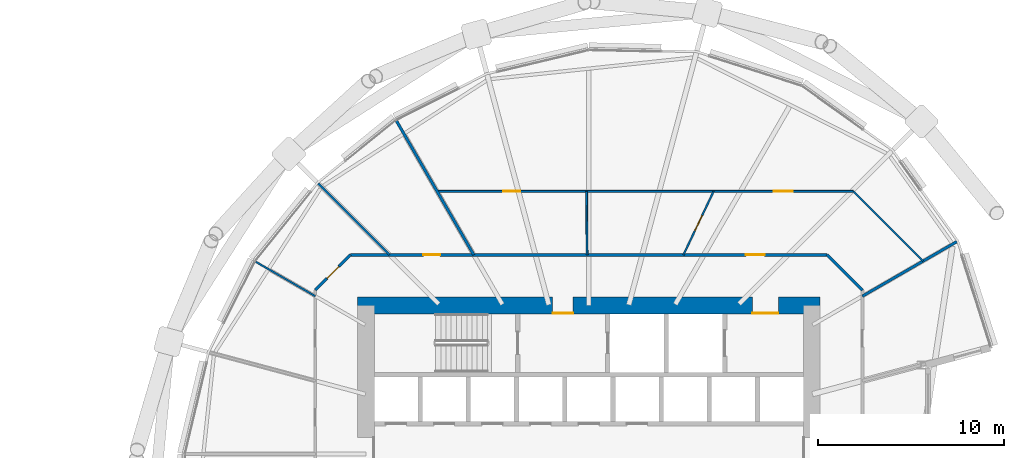
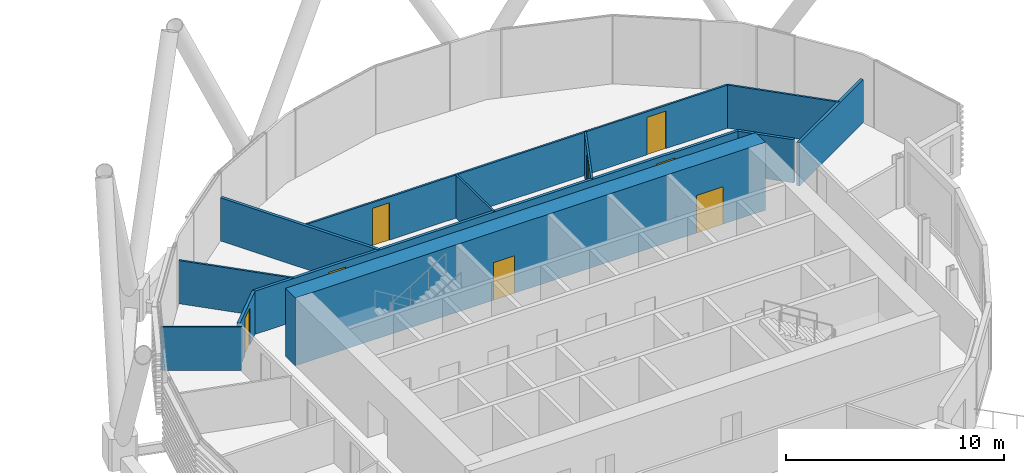
# One storey, part 30 of 40: 12 walls, 8 doors, 8 openings.
"""IFC4 building model written with IfcOpenShell, lengths in metres."""

from ifc_helpers import new_model, si_unit, direction, frame, frame_2d, origin, place, context, subcontext, project, spatial, rectangle, extrude, material, layer, layer_set, type_object, element, fill, save


model = new_model("IFC4")

# Units and contexts
model_context = context("Model", 3, precision=1e-05, world=origin(), true_north=direction((0.0, 1.0)))
body_context = subcontext(model_context, "Body", "Model", "MODEL_VIEW")
ifc_project = project(units=[si_unit("LENGTHUNIT", "METRE"), si_unit("AREAUNIT", "SQUARE_METRE"), si_unit("VOLUMEUNIT", "CUBIC_METRE"), si_unit("PLANEANGLEUNIT", "RADIAN"), si_unit("MASSUNIT", "GRAM", prefix="KILO")], contexts=[model_context])

# Site, building, storey
site_placement = place(None, origin())
site = spatial("IfcSite", under=ifc_project, at=site_placement, CompositionType="ELEMENT")
building_placement = place(site_placement, origin())
building = spatial("IfcBuilding", under=site, at=building_placement, Name="Rimbun Link Towers", CompositionType="ELEMENT")
storey_placement = place(building_placement, frame((0.0, 0.0, 52.800048828125)))
storey = spatial("IfcBuildingStorey", under=building, at=storey_placement, Name="L12", CompositionType="ELEMENT", Elevation=52.800048828125)

# Wall, openings, doors
ifc_material_1 = material(Name="Concrete C60/75", Category="concrete")
ifc_layer_1 = layer(ifc_material_1, 0.89990234375)
ifc_layer_set_1 = layer_set([ifc_layer_1], Name="Core shear wall 900")
wall_type_1 = type_object("IfcWallType", Name="Core shear wall 900", PredefinedType="SHEAR", material=ifc_layer_set_1)
wall_1_placement = place(storey_placement, frame((19.300048828125, 8.0, 0.0), z_axis=(0.0, 0.0, 1.0), x_axis=(1.0, 0.0, 0.0)))
wall_1 = element("IfcWall", 1, at=wall_1_placement, inside=storey, type_object=wall_type_1, Name="L12 T2 core wall N", PredefinedType="SHEAR", context=body_context, shape_type="SweptSolid", body=[
    extrude(rectangle(XDim=24.89990234375, YDim=0.89990234375, at=frame_2d((12.449951171875, 0.0))), origin(), (0.0, 0.0, 1.0), 3.800048828125),
])
opening_1_placement = place(wall_1_placement, frame((10.5, 0.0, 0.0)))
opening_1 = element("IfcOpeningElement", 2, at=opening_1_placement, cuts=wall_1, Name="Opening C2DCF01N", PredefinedType="OPENING", context=body_context, shape_type="SweptSolid", body=[
    extrude(rectangle(XDim=1.10009765625, YDim=2.10009765625, at=frame_2d((0.550048828125, 1.050048828125))), frame((0.0, 0.4599609375, 0.0), z_axis=(0.0, -1.0, 0.0), x_axis=(1.0, 0.0, 0.0)), (0.0, 0.0, 1.0), 0.919921875),
])
opening_2_placement = place(wall_1_placement, frame((21.25, 0.0, 0.0)))
opening_2 = element("IfcOpeningElement", 3, at=opening_2_placement, cuts=wall_1, Name="Opening C2DSL02N", PredefinedType="OPENING", context=body_context, shape_type="SweptSolid", body=[
    extrude(rectangle(XDim=1.39990234375, YDim=2.10009765625, at=frame_2d((0.699951171875, 1.050048828125))), frame((0.0, 0.4599609375, 0.0), z_axis=(0.0, -1.0, 0.0), x_axis=(1.0, 0.0, 0.0)), (0.0, 0.0, 1.0), 0.919921875),
])
ifc_material_2 = material(Name="Steel fire door set", Category="steel")
door_type_1 = type_object("IfcDoorType", Name="Core fire door single", OperationType="SINGLE_SWING_LEFT", PredefinedType="DOOR", material=ifc_material_2)
door_1_placement = place(opening_1_placement, origin())
door_1 = element("IfcDoor", 4, at=door_1_placement, inside=storey, type_object=door_type_1, Name="L12 T2 firefighting lobby n door", OperationType="SINGLE_SWING_LEFT", OverallHeight=2.10009765625, OverallWidth=1.10009765625, PredefinedType="DOOR", context=body_context, shape_type="SweptSolid", body=[
    extrude(rectangle(XDim=1.10009765625, YDim=2.10009765625, at=frame_2d((0.550048828125, 1.050048828125))), frame((0.0, -0.39990234375, 0.0), z_axis=(0.0, -1.0, 0.0), x_axis=(1.0, 0.0, 0.0)), (0.0, 0.0, 1.0), 0.050048828125),
])
fill(opening_1, door_1)
ifc_material_3 = material(Name="Steel fire door set", Category="steel")
door_type_2 = type_object("IfcDoorType", Name="Service lobby door double", OperationType="DOUBLE_DOOR_SINGLE_SWING", PredefinedType="DOOR", material=ifc_material_3)
door_2_placement = place(opening_2_placement, origin())
door_2 = element("IfcDoor", 5, at=door_2_placement, inside=storey, type_object=door_type_2, Name="L12 T2 service lobby door", OperationType="DOUBLE_DOOR_SINGLE_SWING", OverallHeight=2.10009765625, OverallWidth=1.39990234375, PredefinedType="DOOR", context=body_context, shape_type="SweptSolid", body=[
    extrude(rectangle(XDim=1.39990234375, YDim=2.10009765625, at=frame_2d((0.699951171875, 1.050048828125))), frame((0.0, -0.39990234375, 0.0), z_axis=(0.0, -1.0, 0.0), x_axis=(1.0, 0.0, 0.0)), (0.0, 0.0, 1.0), 0.050048828125),
])
fill(opening_2, door_2)

# Wall
ifc_material_4 = material(Name="Plasterboard on steel stud, mineral wool", Category="steel")
ifc_layer_2 = layer(ifc_material_4, 0.14990234375)
ifc_layer_set_2 = layer_set([ifc_layer_2], Name="Corridor wall EI 30 150 mm")
wall_type_2 = type_object("IfcWallType", Name="Corridor wall EI 30 150 mm", PredefinedType="PARTITIONING", material=ifc_layer_set_2)
wall_2_placement = place(storey_placement, frame((46.47509765625, 8.82666015625, 0.0), z_axis=(0.0, 0.0, 1.0), x_axis=(-0.707106781187, 0.707106781187, 0.0)))
element("IfcWall", 6, at=wall_2_placement, inside=storey, type_object=wall_type_2, Name="Corridor wall EI 30 150 mm", PredefinedType="PARTITIONING", context=body_context, shape_type="SweptSolid", body=[
    extrude(rectangle(XDim=2.684814453125, YDim=0.14990234375, at=frame_2d((1.34228515625, 0.0))), origin(), (0.0, 0.0, 1.0), 2.419921875),
])

# Wall, opening, door
wall_3_placement = place(storey_placement, frame((17.02490234375, 8.82666015625, 0.0), z_axis=(0.0, 0.0, 1.0), x_axis=(0.707106781187, 0.707106781187, 0.0)))
wall_3 = element("IfcWall", 7, at=wall_3_placement, inside=storey, type_object=wall_type_2, Name="Corridor wall EI 30 150 mm", PredefinedType="PARTITIONING", context=body_context, shape_type="SweptSolid", body=[
    extrude(rectangle(XDim=2.684814453125, YDim=0.14990234375, at=frame_2d((1.34228515625, 0.0))), origin(), (0.0, 0.0, 1.0), 2.419921875),
])
opening_3_placement = place(wall_3_placement, frame((0.892333984375, 0.0, 0.0)))
opening_3 = element("IfcOpeningElement", 8, at=opening_3_placement, cuts=wall_3, Name="Opening D02", PredefinedType="OPENING", context=body_context, shape_type="SweptSolid", body=[
    extrude(rectangle(XDim=0.89990234375, YDim=2.10009765625, at=frame_2d((0.449951171875, 1.050048828125))), frame((0.0, 0.0849609375, 0.0), z_axis=(0.0, -1.0, 0.0), x_axis=(1.0, 0.0, 0.0)), (0.0, 0.0, 1.0), 0.169921875),
])
ifc_material_5 = material(Name="Fire-resisting timber door leaf", Category="wood")
door_type_3 = type_object("IfcDoorType", Name="Fire door FD30S 900", OperationType="NOTDEFINED", PredefinedType="DOOR", material=ifc_material_5)
door_3_placement = place(opening_3_placement, origin())
door_3 = element("IfcDoor", 9, at=door_3_placement, inside=storey, type_object=door_type_3, Name="Fire door FD30S 900 to Cellular office", OperationType="SINGLE_SWING_RIGHT", OverallHeight=2.10009765625, OverallWidth=0.89990234375, PredefinedType="DOOR", context=body_context, shape_type="SweptSolid", body=[
    extrude(rectangle(XDim=0.89990234375, YDim=2.10009765625, at=frame_2d((0.449951171875, 1.050048828125))), frame((0.0, 0.02490234375, 0.0), z_axis=(0.0, -1.0, 0.0), x_axis=(1.0, 0.0, 0.0)), (0.0, 0.0, 1.0), 0.050048828125),
])
fill(opening_3, door_3)

# Wall, openings, doors
wall_4_placement = place(storey_placement, frame((18.92333984375, 10.72509765625, 0.0), z_axis=(0.0, 0.0, 1.0), x_axis=(1.0, 0.0, 0.0)))
wall_4 = element("IfcWall", 10, at=wall_4_placement, inside=storey, type_object=wall_type_2, Name="Corridor wall EI 30 150 mm", PredefinedType="PARTITIONING", context=body_context, shape_type="SweptSolid", body=[
    extrude(rectangle(XDim=25.6533203125, YDim=0.14990234375, at=frame_2d((12.82666015625, 0.0))), origin(), (0.0, 0.0, 1.0), 2.419921875),
])
opening_4_placement = place(wall_4_placement, frame((21.28662109375, 0.0, 0.0)))
opening_4 = element("IfcOpeningElement", 11, at=opening_4_placement, cuts=wall_4, Name="Opening D01", PredefinedType="OPENING", context=body_context, shape_type="SweptSolid", body=[
    extrude(rectangle(XDim=1.0, YDim=2.10009765625, at=frame_2d((0.5, 1.050048828125))), frame((0.0, 0.0849609375, 0.0), z_axis=(0.0, -1.0, 0.0), x_axis=(1.0, 0.0, 0.0)), (0.0, 0.0, 1.0), 0.169921875),
])
opening_5_placement = place(wall_4_placement, frame((3.918212890625, 0.0, 0.0)))
opening_5 = element("IfcOpeningElement", 12, at=opening_5_placement, cuts=wall_4, Name="Opening D02", PredefinedType="OPENING", context=body_context, shape_type="SweptSolid", body=[
    extrude(rectangle(XDim=0.89990234375, YDim=2.10009765625, at=frame_2d((0.449951171875, 1.050048828125))), frame((0.0, 0.0849609375, 0.0), z_axis=(0.0, -1.0, 0.0), x_axis=(1.0, 0.0, 0.0)), (0.0, 0.0, 1.0), 0.169921875),
])
ifc_material_6 = material(Name="Fire-resisting timber door leaf", Category="wood")
door_type_4 = type_object("IfcDoorType", Name="Fire door FD30S 1000", OperationType="NOTDEFINED", PredefinedType="DOOR", material=ifc_material_6)
door_4_placement = place(opening_4_placement, origin())
door_4 = element("IfcDoor", 13, at=door_4_placement, inside=storey, type_object=door_type_4, Name="Fire door FD30S 1000 to Reception", OperationType="SINGLE_SWING_RIGHT", OverallHeight=2.10009765625, OverallWidth=1.0, PredefinedType="DOOR", context=body_context, shape_type="SweptSolid", body=[
    extrude(rectangle(XDim=1.0, YDim=2.10009765625, at=frame_2d((0.5, 1.050048828125))), frame((0.0, 0.02490234375, 0.0), z_axis=(0.0, -1.0, 0.0), x_axis=(1.0, 0.0, 0.0)), (0.0, 0.0, 1.0), 0.050048828125),
])
fill(opening_4, door_4)
door_5_placement = place(opening_5_placement, origin())
door_5 = element("IfcDoor", 14, at=door_5_placement, inside=storey, type_object=door_type_3, Name="Fire door FD30S 900 to Cellular office", OperationType="SINGLE_SWING_LEFT", OverallHeight=2.10009765625, OverallWidth=0.89990234375, PredefinedType="DOOR", context=body_context, shape_type="SweptSolid", body=[
    extrude(rectangle(XDim=0.89990234375, YDim=2.10009765625, at=frame_2d((0.449951171875, 1.050048828125))), frame((0.0, 0.02490234375, 0.0), z_axis=(0.0, -1.0, 0.0), x_axis=(1.0, 0.0, 0.0)), (0.0, 0.0, 1.0), 0.050048828125),
])
fill(opening_5, door_5)

# Wall, opening, door
ifc_material_7 = material(Name="Plasterboard on steel stud", Category="steel")
ifc_layer_3 = layer(ifc_material_7, 0.10009765625)
ifc_layer_set_3 = layer_set([ifc_layer_3], Name="Plasterboard partition 100 mm")
wall_type_3 = type_object("IfcWallType", Name="Plasterboard partition 100 mm", PredefinedType="PARTITIONING", material=ifc_layer_set_3)
wall_5_placement = place(storey_placement, frame((36.843017578125, 10.72509765625, 0.0), z_axis=(0.0, 0.0, 1.0), x_axis=(0.429014723315, 0.903297496498, 0.0)))
wall_5 = element("IfcWall", 15, at=wall_5_placement, inside=storey, type_object=wall_type_3, Name="Plasterboard partition 100 mm", PredefinedType="PARTITIONING", context=body_context, shape_type="SweptSolid", body=[
    extrude(rectangle(XDim=3.7861328125, YDim=0.10009765625, at=frame_2d((1.89306640625, 0.0))), origin(), (0.0, 0.0, 1.0), 2.419921875),
])
opening_6_placement = place(wall_5_placement, frame((1.443115234375, 0.0, 0.0)))
opening_6 = element("IfcOpeningElement", 16, at=opening_6_placement, cuts=wall_5, Name="Opening D04", PredefinedType="OPENING", context=body_context, shape_type="SweptSolid", body=[
    extrude(rectangle(XDim=0.89990234375, YDim=2.10009765625, at=frame_2d((0.449951171875, 1.050048828125))), frame((0.0, 0.06005859375, 0.0), z_axis=(0.0, -1.0, 0.0), x_axis=(1.0, 0.0, 0.0)), (0.0, 0.0, 1.0), 0.1201171875),
])
ifc_material_8 = material(Name="Timber door leaf", Category="wood")
door_type_5 = type_object("IfcDoorType", Name="Flush door 900", OperationType="NOTDEFINED", PredefinedType="DOOR", material=ifc_material_8)
door_6_placement = place(opening_6_placement, origin())
door_6 = element("IfcDoor", 17, at=door_6_placement, inside=storey, type_object=door_type_5, Name="Flush door 900 to Meeting room", OperationType="SINGLE_SWING_RIGHT", OverallHeight=2.10009765625, OverallWidth=0.89990234375, PredefinedType="DOOR", context=body_context, shape_type="SweptSolid", body=[
    extrude(rectangle(XDim=0.89990234375, YDim=2.10009765625, at=frame_2d((0.449951171875, 1.050048828125))), frame((0.0, 0.02490234375, 0.0), z_axis=(0.0, -1.0, 0.0), x_axis=(1.0, 0.0, 0.0)), (0.0, 0.0, 1.0), 0.050048828125),
])
fill(opening_6, door_6)

# Wall, openings, doors
wall_6_placement = place(storey_placement, frame((23.58349609375, 14.14501953125, 0.0), z_axis=(0.0, 0.0, 1.0), x_axis=(1.0, 0.0, 0.0)))
wall_6 = element("IfcWall", 18, at=wall_6_placement, inside=storey, type_object=wall_type_3, Name="Plasterboard partition 100 mm", PredefinedType="PARTITIONING", context=body_context, shape_type="SweptSolid", body=[
    extrude(rectangle(XDim=22.409912109375, YDim=0.10009765625, at=frame_2d((11.205078125, 0.0))), origin(), (0.0, 0.0, 1.0), 2.419921875),
])
opening_7_placement = place(wall_6_placement, frame((18.130126953125, 0.0, 0.0)))
opening_7 = element("IfcOpeningElement", 19, at=opening_7_placement, cuts=wall_6, Name="Opening D03", PredefinedType="OPENING", context=body_context, shape_type="SweptSolid", body=[
    extrude(rectangle(XDim=1.0, YDim=2.10009765625, at=frame_2d((0.5, 1.050048828125))), frame((0.0, 0.06005859375, 0.0), z_axis=(0.0, -1.0, 0.0), x_axis=(1.0, 0.0, 0.0)), (0.0, 0.0, 1.0), 0.1201171875),
])
opening_8_placement = place(wall_6_placement, frame((3.572021484375, 0.0, 0.0)))
opening_8 = element("IfcOpeningElement", 20, at=opening_8_placement, cuts=wall_6, Name="Opening D04", PredefinedType="OPENING", context=body_context, shape_type="SweptSolid", body=[
    extrude(rectangle(XDim=0.89990234375, YDim=2.10009765625, at=frame_2d((0.449951171875, 1.050048828125))), frame((0.0, 0.06005859375, 0.0), z_axis=(0.0, -1.0, 0.0), x_axis=(1.0, 0.0, 0.0)), (0.0, 0.0, 1.0), 0.1201171875),
])
ifc_material_9 = material(Name="Timber door leaf", Category="wood")
door_type_6 = type_object("IfcDoorType", Name="Flush door 1000", OperationType="NOTDEFINED", PredefinedType="DOOR", material=ifc_material_9)
door_7_placement = place(opening_7_placement, origin())
door_7 = element("IfcDoor", 21, at=door_7_placement, inside=storey, type_object=door_type_6, Name="Flush door 1000 to Open office", OperationType="SINGLE_SWING_LEFT", OverallHeight=2.10009765625, OverallWidth=1.0, PredefinedType="DOOR", context=body_context, shape_type="SweptSolid", body=[
    extrude(rectangle(XDim=1.0, YDim=2.10009765625, at=frame_2d((0.5, 1.050048828125))), frame((0.0, 0.02490234375, 0.0), z_axis=(0.0, -1.0, 0.0), x_axis=(1.0, 0.0, 0.0)), (0.0, 0.0, 1.0), 0.050048828125),
])
fill(opening_7, door_7)
door_8_placement = place(opening_8_placement, origin())
door_8 = element("IfcDoor", 22, at=door_8_placement, inside=storey, type_object=door_type_5, Name="Flush door 900 to Print room", OperationType="SINGLE_SWING_LEFT", OverallHeight=2.10009765625, OverallWidth=0.89990234375, PredefinedType="DOOR", context=body_context, shape_type="SweptSolid", body=[
    extrude(rectangle(XDim=0.89990234375, YDim=2.10009765625, at=frame_2d((0.449951171875, 1.050048828125))), frame((0.0, 0.02490234375, 0.0), z_axis=(0.0, -1.0, 0.0), x_axis=(1.0, 0.0, 0.0)), (0.0, 0.0, 1.0), 0.050048828125),
])
fill(opening_8, door_8)

# Walls
wall_7_placement = place(storey_placement, frame((49.747314453125, 10.390869140625, 0.0), z_axis=(0.0, 0.0, 1.0), x_axis=(-0.707083787713, 0.707129773912, 0.0)))
element("IfcWall", 23, at=wall_7_placement, inside=storey, type_object=wall_type_3, Name="Plasterboard partition 100 mm", PredefinedType="PARTITIONING", context=body_context, shape_type="SweptSolid", body=[
    extrude(rectangle(XDim=5.30908203125, YDim=0.10009765625, at=frame_2d((2.654541015625, 0.0))), origin(), (0.0, 0.0, 1.0), 2.419921875),
])
wall_8_placement = place(storey_placement, frame((31.62744140625, 14.14501953125, 0.0), z_axis=(0.0, 0.0, 1.0), x_axis=(0.008637598952, -0.999962695246, 0.0)))
element("IfcWall", 24, at=wall_8_placement, inside=storey, type_object=wall_type_3, Name="Plasterboard partition 100 mm", PredefinedType="PARTITIONING", context=body_context, shape_type="SweptSolid", body=[
    extrude(rectangle(XDim=3.420166015625, YDim=0.10009765625, at=frame_2d((1.7099609375, 0.0))), origin(), (0.0, 0.0, 1.0), 2.419921875),
])
wall_9_placement = place(storey_placement, frame((17.184326171875, 14.565673828125, 0.0), z_axis=(0.0, 0.0, 1.0), x_axis=(0.707106781187, -0.707106781187, 0.0)))
element("IfcWall", 25, at=wall_9_placement, inside=storey, type_object=wall_type_3, Name="Plasterboard partition 100 mm", PredefinedType="PARTITIONING", context=body_context, shape_type="SweptSolid", body=[
    extrude(rectangle(XDim=5.431396484375, YDim=0.10009765625, at=frame_2d((2.7158203125, 0.0))), origin(), (0.0, 0.0, 1.0), 2.419921875),
])
wall_10_placement = place(storey_placement, frame((13.788330078125, 10.3701171875, 0.0), z_axis=(0.0, 0.0, 1.0), x_axis=(0.866023494941, -0.500003306199, 0.0)))
element("IfcWall", 26, at=wall_10_placement, inside=storey, type_object=wall_type_3, Name="Plasterboard partition 100 mm", PredefinedType="PARTITIONING", context=body_context, shape_type="SweptSolid", body=[
    extrude(rectangle(XDim=3.7373046875, YDim=0.10009765625, at=frame_2d((1.86865234375, 0.0))), origin(), (0.0, 0.0, 1.0), 2.419921875),
])
ifc_material_10 = material(Name="Plasterboard on steel stud, mineral wool", Category="steel")
ifc_layer_4 = layer(ifc_material_10, 0.14990234375)
ifc_layer_set_4 = layer_set([ifc_layer_4], Name="Tenancy separation wall EI 60 150 mm")
wall_type_4 = type_object("IfcWallType", Name="Tenancy separation wall EI 60 150 mm", PredefinedType="PARTITIONING", material=ifc_layer_set_4)
wall_11_placement = place(storey_placement, frame((25.557861328125, 10.72509765625, 0.0), z_axis=(0.0, 0.0, 1.0), x_axis=(-0.499994755589, 0.866028431625, 0.0)))
element("IfcWall", 27, at=wall_11_placement, inside=storey, type_object=wall_type_4, Name="Tenancy separation wall EI 60 150 mm", PredefinedType="PARTITIONING", context=body_context, shape_type="SweptSolid", body=[
    extrude(rectangle(XDim=8.35595703125, YDim=0.14990234375, at=frame_2d((4.177978515625, 0.0))), origin(), (0.0, 0.0, 1.0), 2.419921875),
])
wall_12_placement = place(storey_placement, frame((46.47509765625, 8.50146484375, 0.0), z_axis=(0.0, 0.0, 1.0), x_axis=(0.866019468283, 0.500010280449, 0.0)))
element("IfcWall", 28, at=wall_12_placement, inside=storey, type_object=wall_type_4, Name="Tenancy separation wall EI 60 150 mm", PredefinedType="PARTITIONING", context=body_context, shape_type="SweptSolid", body=[
    extrude(rectangle(XDim=5.8740234375, YDim=0.14990234375, at=frame_2d((2.93701171875, 0.0))), origin(), (0.0, 0.0, 1.0), 2.419921875),
])

save(model, "model.ifc")
